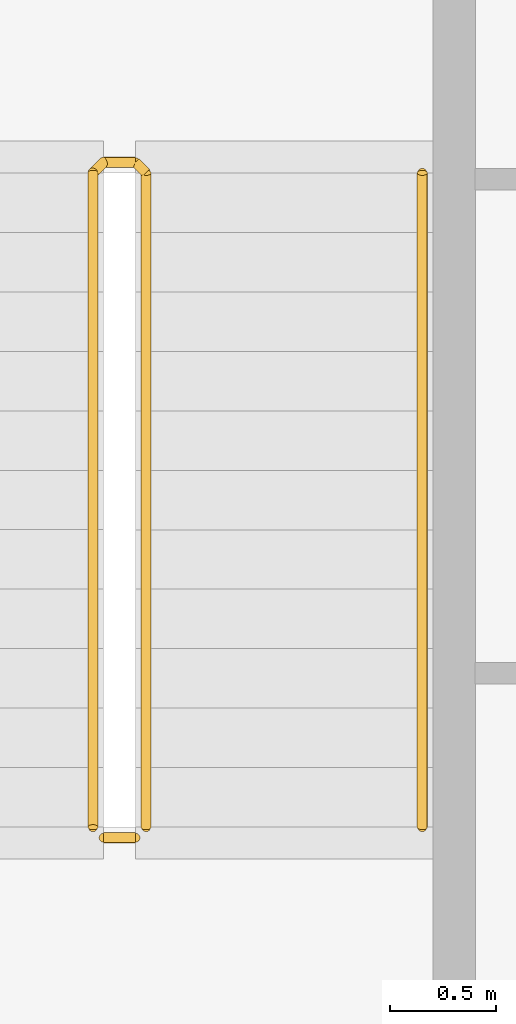
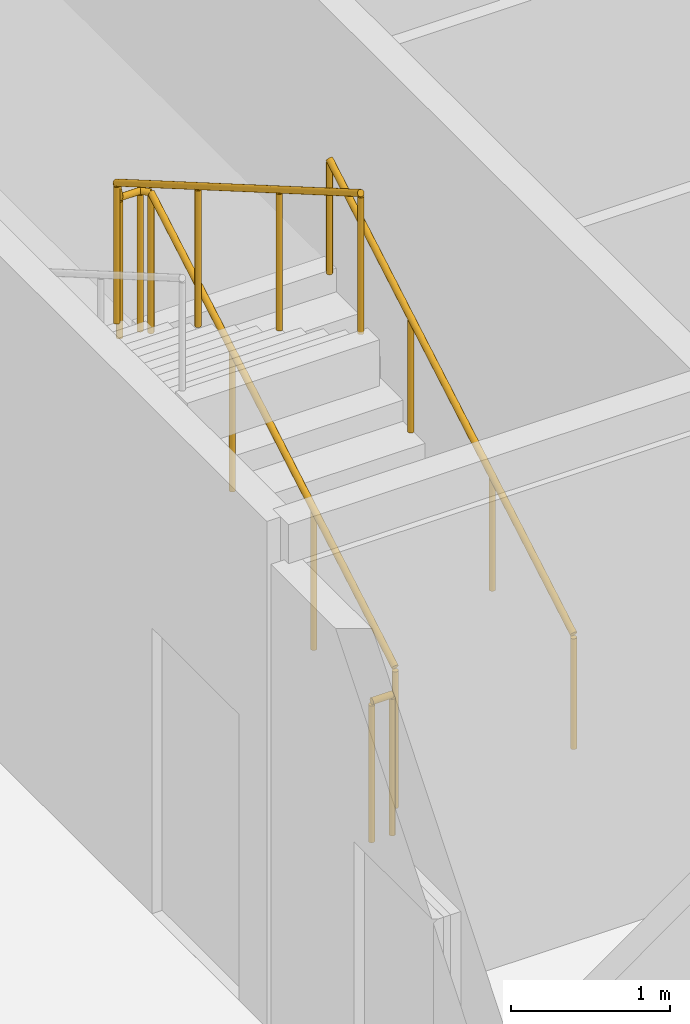
# One storey, part 25 of 27: 3 railings.
"""IFC4 building model written with IfcOpenShell, lengths in metres."""

from ifc_helpers import new_model, si_unit, direction, frame, origin, origin_2d, place, context, subcontext, project, spatial, circle, extrude, material, type_object, element, save


model = new_model("IFC4")

# Units and contexts
model_context = context("Model", 3, precision=1e-05, world=origin(), true_north=direction((0.0, 1.0)))
body_context = subcontext(model_context, "Body", "Model", "MODEL_VIEW")
ifc_project = project(units=[si_unit("LENGTHUNIT", "METRE"), si_unit("AREAUNIT", "SQUARE_METRE"), si_unit("VOLUMEUNIT", "CUBIC_METRE"), si_unit("PLANEANGLEUNIT", "RADIAN"), si_unit("MASSUNIT", "GRAM", prefix="KILO")], contexts=[model_context])

# Site, building, storey
site_placement = place(None, origin())
site = spatial("IfcSite", under=ifc_project, at=site_placement, CompositionType="ELEMENT")
building_placement = place(site_placement, origin())
building = spatial("IfcBuilding", under=site, at=building_placement, Name="Kheshtan School and Residences Tower", CompositionType="ELEMENT")
storey_placement = place(building_placement, frame((0.0, 0.0, 30.5)))
storey = spatial("IfcBuildingStorey", under=building, at=storey_placement, Name="L06", CompositionType="ELEMENT", Elevation=30.5)

# Railings
ifc_material_1 = material(Name="Stainless steel balustrade", Category="steel")
railing_type_1 = type_object("IfcRailingType", Name="Stair guard 1100", PredefinedType="GUARDRAIL", material=ifc_material_1)
railing_1_placement = place(storey_placement, frame((35.0, 80.89990234375, 0.16259765625)))
element("IfcRailing", 1, at=railing_1_placement, inside=storey, type_object=railing_type_1, Name="L06 ST3 stair guard 1", PredefinedType="GUARDRAIL", context=body_context, shape_type="SweptSolid", body=[
    extrude(circle(Radius=0.02392578125, at=origin_2d()), frame((0.0, 0.0, 1.076171875), z_axis=(0.0, 0.864920483161, 0.501908913857), x_axis=(-1.0, 0.0, 0.0)), (0.0, 0.0, 1.0), 3.56103515625),
    extrude(circle(Radius=0.02392578125, at=origin_2d()), frame((0.0, 3.080078125, 2.86328125), z_axis=(-0.707106781187, 0.707106781187, 0.0), x_axis=(-0.707106781187, -0.707106781187, 0.0)), (0.0, 0.0, 1.0), 0.07080078125),
    extrude(circle(Radius=0.02392578125, at=origin_2d()), frame((-0.050048828125, 3.130126953125, 2.86328125), z_axis=(-1.0, 0.0, 0.0), x_axis=(0.0, -1.0, 0.0)), (0.0, 0.0, 1.0), 0.14990234375),
    extrude(circle(Radius=0.02392578125, at=origin_2d()), frame((-0.199951171875, 3.130126953125, 2.86328125), z_axis=(-0.282227285176, -0.282227285176, 0.916894497205), x_axis=(0.707106781187, -0.707106781187, 0.0)), (0.0, 0.0, 1.0), 0.17724609375),
    extrude(circle(Radius=0.02392578125, at=origin_2d()), frame((-0.25, 3.080078125, 3.02587890625), z_axis=(0.0, -0.864920483161, 0.501908913857), x_axis=(1.0, 0.0, 0.0)), (0.0, 0.0, 1.0), 3.56103515625),
    extrude(circle(Radius=0.02099609375, at=origin_2d()), origin(), (0.0, 0.0, 1.0), 1.052001953125),
    extrude(circle(Radius=0.02099609375, at=origin_2d()), frame((0.0, 1.026611328125, 0.595703125)), (0.0, 0.0, 1.0), 1.052001953125),
    extrude(circle(Radius=0.02099609375, at=origin_2d()), frame((0.0, 2.053466796875, 1.191650390625)), (0.0, 0.0, 1.0), 1.052001953125),
    extrude(circle(Radius=0.02099609375, at=origin_2d()), frame((0.0, 3.080078125, 1.787353515625)), (0.0, 0.0, 1.0), 1.052001953125),
    extrude(circle(Radius=0.02099609375, at=origin_2d()), frame((-0.050048828125, 3.130126953125, 1.787353515625)), (0.0, 0.0, 1.0), 1.052001953125),
    extrude(circle(Radius=0.02099609375, at=origin_2d()), frame((-0.199951171875, 3.130126953125, 1.787353515625)), (0.0, 0.0, 1.0), 1.052001953125),
    extrude(circle(Radius=0.02099609375, at=origin_2d()), frame((-0.25, 3.080078125, 1.949951171875)), (0.0, 0.0, 1.0), 1.052001953125),
    extrude(circle(Radius=0.02099609375, at=origin_2d()), frame((-0.25, 2.053466796875, 2.545654296875)), (0.0, 0.0, 1.0), 1.052001953125),
    extrude(circle(Radius=0.02099609375, at=origin_2d()), frame((-0.25, 1.026611328125, 3.1416015625)), (0.0, 0.0, 1.0), 1.052001953125),
    extrude(circle(Radius=0.02099609375, at=origin_2d()), frame((-0.25, 0.0, 3.7373046875)), (0.0, 0.0, 1.0), 1.052001953125),
])
railing_2_placement = place(storey_placement, frame((34.949951171875, 80.85009765625, 0.0)))
element("IfcRailing", 2, at=railing_2_placement, inside=storey, type_object=railing_type_1, Name="L06 ST3 stair guard 2", PredefinedType="GUARDRAIL", context=body_context, shape_type="SweptSolid", body=[
    extrude(circle(Radius=0.02392578125, at=origin_2d()), frame((0.0, 0.0, 1.076171875), z_axis=(-1.0, 0.0, 0.0), x_axis=(0.0, -1.0, 0.0)), (0.0, 0.0, 1.0), 0.14990234375),
    extrude(circle(Radius=0.02099609375, at=origin_2d()), origin(), (0.0, 0.0, 1.0), 1.052001953125),
    extrude(circle(Radius=0.02099609375, at=origin_2d()), frame((-0.14990234375, 0.0, 0.0)), (0.0, 0.0, 1.0), 1.052001953125),
])
ifc_material_2 = material(Name="Stainless steel handrail", Category="steel")
railing_type_2 = type_object("IfcRailingType", Name="Stair handrail 900", PredefinedType="HANDRAIL", material=ifc_material_2)
railing_3_placement = place(storey_placement, frame((36.300048828125, 80.89990234375, 0.16259765625)))
element("IfcRailing", 3, at=railing_3_placement, inside=storey, type_object=railing_type_2, Name="L06 ST3 stair handrail 1", PredefinedType="HANDRAIL", context=body_context, shape_type="SweptSolid", body=[
    extrude(circle(Radius=0.02392578125, at=origin_2d()), frame((0.0, 0.0, 0.8759765625), z_axis=(0.0, 0.864920483161, 0.501908913857), x_axis=(-1.0, 0.0, 0.0)), (0.0, 0.0, 1.0), 3.56103515625),
    extrude(circle(Radius=0.02099609375, at=origin_2d()), origin(), (0.0, 0.0, 1.0), 0.851806640625),
    extrude(circle(Radius=0.02099609375, at=origin_2d()), frame((0.0, 1.026611328125, 0.595703125)), (0.0, 0.0, 1.0), 0.851806640625),
    extrude(circle(Radius=0.02099609375, at=origin_2d()), frame((0.0, 2.053466796875, 1.191650390625)), (0.0, 0.0, 1.0), 0.851806640625),
    extrude(circle(Radius=0.02099609375, at=origin_2d()), frame((0.0, 3.080078125, 1.787353515625)), (0.0, 0.0, 1.0), 0.851806640625),
])

save(model, "model.ifc")
